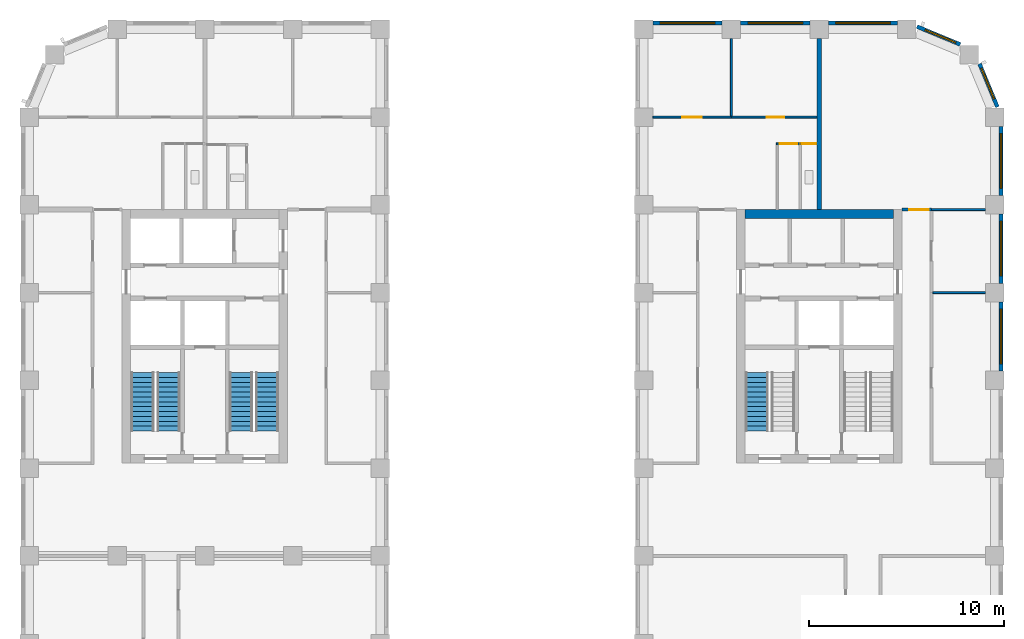
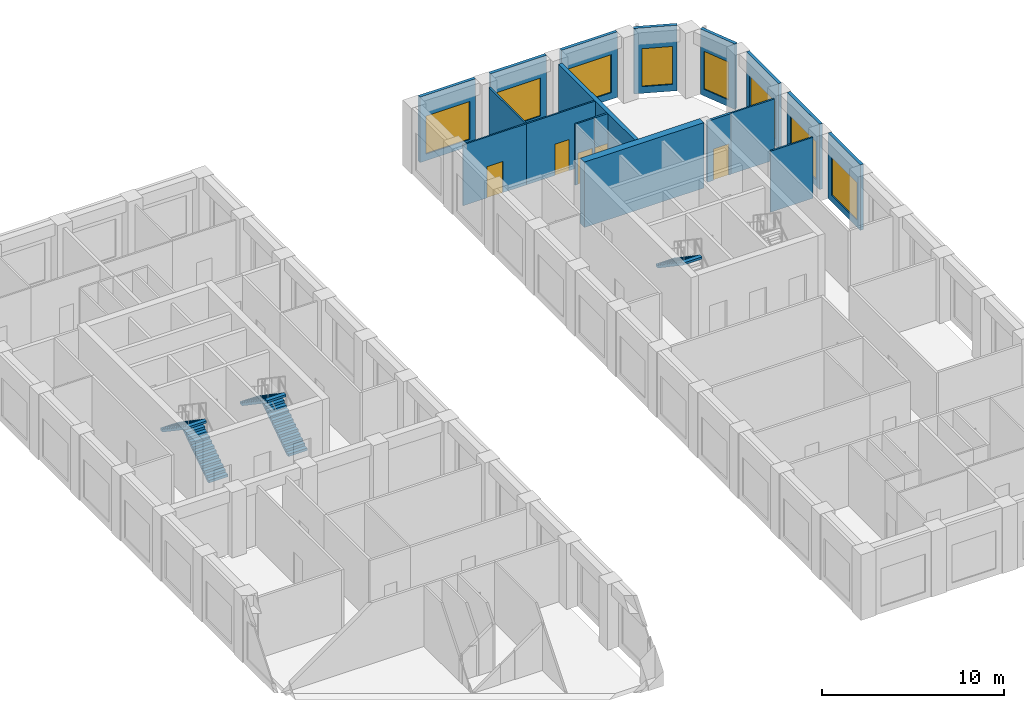
# One storey, part 9 of 13: 18 walls, 8 windows, 5 doors, 5 stair flights, 13 openings, 3 elements without a shape of their own.
"""IFC4 building model written with IfcOpenShell, lengths in metres."""

from ifc_helpers import new_model, si_unit, direction, frame, frame_2d, origin, place, context, subcontext, project, spatial, polyline, rectangle, outline, extrude, material, layer, layer_set, type_object, element, fill, aggregate, save


model = new_model("IFC4")

# Units and contexts
model_context = context("Model", 3, precision=1e-05, world=origin(), true_north=direction((0.0, 1.0)))
body_context = subcontext(model_context, "Body", "Model", "MODEL_VIEW")
ifc_project = project(units=[si_unit("LENGTHUNIT", "METRE"), si_unit("AREAUNIT", "SQUARE_METRE"), si_unit("VOLUMEUNIT", "CUBIC_METRE"), si_unit("PLANEANGLEUNIT", "RADIAN"), si_unit("MASSUNIT", "GRAM", prefix="KILO")], contexts=[model_context])

# Site, building, storey
site_placement = place(None, origin())
site = spatial("IfcSite", under=ifc_project, at=site_placement, CompositionType="ELEMENT")
building_placement = place(site_placement, origin())
building = spatial("IfcBuilding", under=site, at=building_placement, Name="Girih Gate Residences", CompositionType="ELEMENT")
storey_placement = place(building_placement, frame((0.0, 0.0, 159.39990234375)))
storey = spatial("IfcBuildingStorey", under=building, at=storey_placement, Name="L44", CompositionType="ELEMENT", Elevation=159.39990234375)

# Wall
ifc_material_1 = material(Name="Gypsum board on steel studs", Category="steel")
ifc_layer_1 = layer(ifc_material_1, 0.25)
ifc_layer_set_1 = layer_set([ifc_layer_1], Name="Acoustic separating wall 250 mm")
wall_type_1 = type_object("IfcWallType", Name="Acoustic separating wall 250 mm", PredefinedType="PARTITIONING", material=ifc_layer_set_1)
wall_1_placement = place(storey_placement, frame((40.5, 40.25, 0.0), z_axis=(0.0, 0.0, 1.0), x_axis=(0.0, 1.0, 0.0)))
element("IfcWall", 1, at=wall_1_placement, inside=storey, type_object=wall_type_1, Name="L44 partition", PredefinedType="PARTITIONING", context=body_context, shape_type="SweptSolid", body=[
    extrude(rectangle(XDim=8.77490234375, YDim=0.25, at=frame_2d((4.387451171875, 0.0))), origin(), (0.0, 0.0, 1.0), 4.10009765625),
])

# Wall, opening, door
ifc_layer_2 = layer(ifc_material_1, 0.14990234375)
ifc_layer_set_2 = layer_set([ifc_layer_2], Name="Compartment wall 150 mm")
wall_type_2 = type_object("IfcWallType", Name="Compartment wall 150 mm", PredefinedType="PARTITIONING", material=ifc_layer_set_2)
wall_2_placement = place(storey_placement, frame((44.75, 40.25, 0.0), z_axis=(0.0, 0.0, 1.0), x_axis=(1.0, 0.0, 0.0)))
wall_2 = element("IfcWall", 2, at=wall_2_placement, inside=storey, type_object=wall_type_2, Name="L44 partition", PredefinedType="PARTITIONING", context=body_context, shape_type="SweptSolid", body=[
    extrude(rectangle(XDim=1.5, YDim=0.14990234375, at=frame_2d((0.75, 0.0))), origin(), (0.0, 0.0, 1.0), 4.10009765625),
])
opening_1_placement = place(wall_2_placement, frame((0.3701171875, 0.0, 0.0)))
opening_1 = element("IfcOpeningElement", 3, at=opening_1_placement, cuts=wall_2, Name="Opening A44-038", PredefinedType="OPENING", context=body_context, shape_type="SweptSolid", body=[
    extrude(rectangle(XDim=1.0, YDim=2.10009765625, at=frame_2d((0.5, 1.050048828125))), frame((0.0, 0.0849609375, 0.0), z_axis=(0.0, -1.0, 0.0), x_axis=(1.0, 0.0, 0.0)), (0.0, 0.0, 1.0), 0.169921875),
])
ifc_material_2 = material(Name="Timber, fire-rated core", Category="wood")
door_type_1 = type_object("IfcDoorType", Name="Amenity room door 1000x2100 FD30S", OperationType="NOTDEFINED", PredefinedType="DOOR", material=ifc_material_2)
door_1_placement = place(opening_1_placement, origin())
door_1 = element("IfcDoor", 4, at=door_1_placement, inside=storey, type_object=door_type_1, Name="Door A44-038", OperationType="SINGLE_SWING_RIGHT", OverallHeight=2.10009765625, OverallWidth=1.0, PredefinedType="DOOR", context=body_context, shape_type="SweptSolid", body=[
    extrude(rectangle(XDim=1.0, YDim=2.10009765625, at=frame_2d((0.5, 1.050048828125))), frame((0.0, 0.02490234375, 0.0), z_axis=(0.0, -1.0, 0.0), x_axis=(1.0, 0.0, 0.0)), (0.0, 0.0, 1.0), 0.050048828125),
])
fill(opening_1, door_1)

# Wall
ifc_material_3 = material(Name="Concrete C60/75", Category="concrete")
ifc_layer_3 = layer(ifc_material_3, 0.449951171875)
ifc_layer_set_3 = layer_set([ifc_layer_3], Name="Core wall RC 450 Concrete C60/75")
wall_type_3 = type_object("IfcWallType", Name="Core wall RC 450 Concrete C60/75", PredefinedType="SOLIDWALL", material=ifc_layer_set_3)
wall_3_placement = place(storey_placement, frame((36.699951171875, 40.02490234375, 0.0), z_axis=(0.0, 0.0, 1.0), x_axis=(1.0, 0.0, 0.0)))
element("IfcWall", 5, at=wall_3_placement, inside=storey, type_object=wall_type_3, Name="Core wall E-N L44", PredefinedType="SOLIDWALL", context=body_context, shape_type="SweptSolid", body=[
    extrude(rectangle(XDim=7.60009765625, YDim=0.449951171875, at=frame_2d((3.800048828125, 0.0))), origin(), (0.0, 0.0, 1.0), 4.400146484375),
])

# Wall, opening, door
ifc_layer_4 = layer(ifc_material_1, 0.10009765625)
ifc_layer_set_4 = layer_set([ifc_layer_4], Name="Partition 100 mm")
wall_type_4 = type_object("IfcWallType", Name="Partition 100 mm", PredefinedType="PARTITIONING", material=ifc_layer_set_4)
wall_4_placement = place(storey_placement, frame((36.0, 45.0, 0.0), z_axis=(0.0, 0.0, 1.0), x_axis=(1.0, 0.0, 0.0)))
wall_4 = element("IfcWall", 6, at=wall_4_placement, inside=storey, type_object=wall_type_4, Name="L44 partition", PredefinedType="PARTITIONING", context=body_context, shape_type="SweptSolid", body=[
    extrude(rectangle(XDim=4.375, YDim=0.10009765625, at=frame_2d((2.1875, 0.0))), origin(), (0.0, 0.0, 1.0), 4.10009765625),
])
opening_2_placement = place(wall_4_placement, frame((1.800048828125, 0.0, 0.0)))
opening_2 = element("IfcOpeningElement", 7, at=opening_2_placement, cuts=wall_4, Name="Opening A44-028", PredefinedType="OPENING", context=body_context, shape_type="SweptSolid", body=[
    extrude(rectangle(XDim=0.89990234375, YDim=2.10009765625, at=frame_2d((0.449951171875, 1.050048828125))), frame((0.0, 0.06005859375, 0.0), z_axis=(0.0, -1.0, 0.0), x_axis=(1.0, 0.0, 0.0)), (0.0, 0.0, 1.0), 0.1201171875),
])
ifc_material_4 = material(Name="Timber", Category="wood")
door_type_2 = type_object("IfcDoorType", Name="Bedroom door 900x2100", OperationType="NOTDEFINED", PredefinedType="DOOR", material=ifc_material_4)
door_2_placement = place(opening_2_placement, origin())
door_2 = element("IfcDoor", 8, at=door_2_placement, inside=storey, type_object=door_type_2, Name="Door A44-028", OperationType="SINGLE_SWING_RIGHT", OverallHeight=2.10009765625, OverallWidth=0.89990234375, PredefinedType="DOOR", context=body_context, shape_type="SweptSolid", body=[
    extrude(rectangle(XDim=0.89990234375, YDim=2.10009765625, at=frame_2d((0.449951171875, 1.050048828125))), frame((0.0, 0.02490234375, 0.0), z_axis=(0.0, -1.0, 0.0), x_axis=(1.0, 0.0, 0.0)), (0.0, 0.0, 1.0), 0.050048828125),
])
fill(opening_2, door_2)

# Wall
wall_5_placement = place(storey_placement, frame((36.0, 45.050048828125, 0.0), z_axis=(0.0, 0.0, 1.0), x_axis=(0.0, 1.0, 0.0)))
element("IfcWall", 9, at=wall_5_placement, inside=storey, type_object=wall_type_4, Name="L44 partition", PredefinedType="PARTITIONING", context=body_context, shape_type="SweptSolid", body=[
    extrude(rectangle(XDim=3.974853515625, YDim=0.10009765625, at=frame_2d((1.9873046875, 0.0))), origin(), (0.0, 0.0, 1.0), 4.10009765625),
])

# Wall, opening, door
wall_6_placement = place(storey_placement, frame((39.522705078125, 43.6201171875, 0.0), z_axis=(0.0, 0.0, 1.0), x_axis=(-1.0, 0.0, 0.0)))
wall_6 = element("IfcWall", 10, at=wall_6_placement, inside=storey, type_object=wall_type_4, Name="L44 partition", PredefinedType="PARTITIONING", context=body_context, shape_type="SweptSolid", body=[
    extrude(rectangle(XDim=1.22265625, YDim=0.10009765625, at=frame_2d((0.611328125, 0.0))), origin(), (0.0, 0.0, 1.0), 4.10009765625),
])
opening_3_placement = place(wall_6_placement, frame((0.136474609375, 0.0, 0.0)))
opening_3 = element("IfcOpeningElement", 11, at=opening_3_placement, cuts=wall_6, Name="Opening A44-029", PredefinedType="OPENING", context=body_context, shape_type="SweptSolid", body=[
    extrude(rectangle(XDim=0.89990234375, YDim=2.10009765625, at=frame_2d((0.449951171875, 1.050048828125))), frame((0.0, 0.06005859375, 0.0), z_axis=(0.0, -1.0, 0.0), x_axis=(1.0, 0.0, 0.0)), (0.0, 0.0, 1.0), 0.1201171875),
])
door_type_3 = type_object("IfcDoorType", Name="Kitchen door 900x2100", OperationType="NOTDEFINED", PredefinedType="DOOR", material=ifc_material_4)
door_3_placement = place(opening_3_placement, origin())
door_3 = element("IfcDoor", 12, at=door_3_placement, inside=storey, type_object=door_type_3, Name="Door A44-029", OperationType="SINGLE_SWING_LEFT", OverallHeight=2.10009765625, OverallWidth=0.89990234375, PredefinedType="DOOR", context=body_context, shape_type="SweptSolid", body=[
    extrude(rectangle(XDim=0.89990234375, YDim=2.10009765625, at=frame_2d((0.449951171875, 1.050048828125))), frame((0.0, 0.02490234375, 0.0), z_axis=(0.0, -1.0, 0.0), x_axis=(1.0, 0.0, 0.0)), (0.0, 0.0, 1.0), 0.050048828125),
])
fill(opening_3, door_3)

wall_7_placement = place(storey_placement, frame((31.97509765625, 45.0, 0.0), z_axis=(0.0, 0.0, 1.0), x_axis=(1.0, 0.0, 0.0)))
wall_7 = element("IfcWall", 13, at=wall_7_placement, inside=storey, type_object=wall_type_4, Name="L44 partition", PredefinedType="PARTITIONING", context=body_context, shape_type="SweptSolid", body=[
    extrude(rectangle(XDim=4.02490234375, YDim=0.10009765625, at=frame_2d((2.012451171875, 0.0))), origin(), (0.0, 0.0, 1.0), 4.10009765625),
])
opening_4_placement = place(wall_7_placement, frame((1.512451171875, 0.0, 0.0)))
opening_4 = element("IfcOpeningElement", 14, at=opening_4_placement, cuts=wall_7, Name="Opening A44-030", PredefinedType="OPENING", context=body_context, shape_type="SweptSolid", body=[
    extrude(rectangle(XDim=1.0, YDim=2.10009765625, at=frame_2d((0.5, 1.050048828125))), frame((0.0, 0.06005859375, 0.0), z_axis=(0.0, -1.0, 0.0), x_axis=(1.0, 0.0, 0.0)), (0.0, 0.0, 1.0), 0.1201171875),
])
door_type_4 = type_object("IfcDoorType", Name="Living room door 1000x2100", OperationType="NOTDEFINED", PredefinedType="DOOR", material=ifc_material_4)
door_4_placement = place(opening_4_placement, origin())
door_4 = element("IfcDoor", 15, at=door_4_placement, inside=storey, type_object=door_type_4, Name="Door A44-030", OperationType="SINGLE_SWING_LEFT", OverallHeight=2.10009765625, OverallWidth=1.0, PredefinedType="DOOR", context=body_context, shape_type="SweptSolid", body=[
    extrude(rectangle(XDim=1.0, YDim=2.10009765625, at=frame_2d((0.5, 1.050048828125))), frame((0.0, 0.02490234375, 0.0), z_axis=(0.0, -1.0, 0.0), x_axis=(1.0, 0.0, 0.0)), (0.0, 0.0, 1.0), 0.050048828125),
])
fill(opening_4, door_4)

# Walls
wall_8_placement = place(storey_placement, frame((46.25, 40.25, 0.0), z_axis=(0.0, 0.0, 1.0), x_axis=(1.0, 0.0, 0.0)))
element("IfcWall", 16, at=wall_8_placement, inside=storey, type_object=wall_type_4, Name="L44 partition", PredefinedType="PARTITIONING", context=body_context, shape_type="SweptSolid", body=[
    extrude(rectangle(XDim=2.77490234375, YDim=0.10009765625, at=frame_2d((1.387451171875, 0.0))), origin(), (0.0, 0.0, 1.0), 4.10009765625),
])
wall_9_placement = place(storey_placement, frame((46.324951171875, 36.0, 0.0), z_axis=(0.0, 0.0, 1.0), x_axis=(1.0, 0.0, 0.0)))
element("IfcWall", 17, at=wall_9_placement, inside=storey, type_object=wall_type_4, Name="L44 partition", PredefinedType="PARTITIONING", context=body_context, shape_type="SweptSolid", body=[
    extrude(rectangle(XDim=2.699951171875, YDim=0.10009765625, at=frame_2d((1.35009765625, 0.0))), origin(), (0.0, 0.0, 1.0), 4.10009765625),
])

# Wall, opening, window
ifc_material_5 = material(Name="Precast concrete C50/60", Category="concrete")
ifc_layer_5 = layer(ifc_material_5, 0.06005859375, Name="Outer leaf")
ifc_material_6 = material(Name="Rigid PIR insulation")
ifc_layer_6 = layer(ifc_material_6, 0.090087890625, Name="Insulation")
ifc_material_7 = material(Name="Precast concrete C40/50", Category="concrete")
ifc_layer_7 = layer(ifc_material_7, 0.050048828125, Name="Inner leaf")
ifc_layer_set_5 = layer_set([ifc_layer_5, ifc_layer_6, ifc_layer_7], Name="Precast concrete C50/60 external wall 200")
wall_type_5 = type_object("IfcWallType", Name="Precast concrete C50/60 external wall 200", PredefinedType="SOLIDWALL", material=ifc_layer_set_5)
wall_10_placement = place(storey_placement, frame((49.824951171875, 35.52490234375, 0.0), z_axis=(0.0, 0.0, 1.0), x_axis=(0.0, -1.0, 0.0)))
wall_10 = element("IfcWall", 18, at=wall_10_placement, inside=storey, type_object=wall_type_5, Name="External wall E0495_0045.6", PredefinedType="SOLIDWALL", context=body_context, shape_type="SweptSolid", body=[
    extrude(rectangle(XDim=3.5498046875, YDim=0.199951171875, at=frame_2d((1.77490234375, 0.0))), origin(), (0.0, 0.0, 1.0), 4.400146484375),
])
opening_5_placement = place(wall_10_placement, frame((0.375, 0.0, 0.449951171875)))
opening_5 = element("IfcOpeningElement", 19, at=opening_5_placement, cuts=wall_10, Name="Opening W-6A", PredefinedType="OPENING", context=body_context, shape_type="SweptSolid", body=[
    extrude(rectangle(XDim=2.800048828125, YDim=2.550048828125, at=frame_2d((1.39990234375, 1.27490234375))), frame((0.0, 0.10986328125, 0.0), z_axis=(0.0, -1.0, 0.0), x_axis=(1.0, 0.0, 0.0)), (0.0, 0.0, 1.0), 0.219970703125),
])
ifc_material_8 = material(Name="Double glazing in aluminium frame", Category="aluminium")
window_type_1 = type_object("IfcWindowType", Name="Window W-6A 2800x2550", PartitioningType="SINGLE_PANEL", PredefinedType="WINDOW", material=ifc_material_8)
window_1_placement = place(opening_5_placement, origin())
window_1 = element("IfcWindow", 20, at=window_1_placement, inside=storey, type_object=window_type_1, Name="Window W-6A E0495_0045.6", OverallHeight=2.550048828125, OverallWidth=2.800048828125, PartitioningType="SINGLE_PANEL", PredefinedType="WINDOW", context=body_context, shape_type="SweptSolid", body=[
    extrude(rectangle(XDim=2.800048828125, YDim=2.550048828125, at=frame_2d((1.39990234375, 1.27490234375))), frame((0.0, 0.030029296875, 0.0), z_axis=(0.0, -1.0, 0.0), x_axis=(1.0, 0.0, 0.0)), (0.0, 0.0, 1.0), 0.06005859375),
])
fill(opening_5, window_1)

wall_11_placement = place(storey_placement, frame((49.824951171875, 40.02490234375, 0.0), z_axis=(0.0, 0.0, 1.0), x_axis=(0.0, -1.0, 0.0)))
wall_11 = element("IfcWall", 21, at=wall_11_placement, inside=storey, type_object=wall_type_5, Name="External wall E0495_0045.7", PredefinedType="SOLIDWALL", context=body_context, shape_type="SweptSolid", body=[
    extrude(rectangle(XDim=3.5498046875, YDim=0.199951171875, at=frame_2d((1.77490234375, 0.0))), origin(), (0.0, 0.0, 1.0), 4.400146484375),
])
opening_6_placement = place(wall_11_placement, frame((0.375, 0.0, 0.449951171875)))
opening_6 = element("IfcOpeningElement", 22, at=opening_6_placement, cuts=wall_11, Name="Opening W-6A", PredefinedType="OPENING", context=body_context, shape_type="SweptSolid", body=[
    extrude(rectangle(XDim=2.800048828125, YDim=2.550048828125, at=frame_2d((1.39990234375, 1.27490234375))), frame((0.0, 0.10986328125, 0.0), z_axis=(0.0, -1.0, 0.0), x_axis=(1.0, 0.0, 0.0)), (0.0, 0.0, 1.0), 0.219970703125),
])
window_2_placement = place(opening_6_placement, origin())
window_2 = element("IfcWindow", 23, at=window_2_placement, inside=storey, type_object=window_type_1, Name="Window W-6A E0495_0045.7", OverallHeight=2.550048828125, OverallWidth=2.800048828125, PartitioningType="SINGLE_PANEL", PredefinedType="WINDOW", context=body_context, shape_type="SweptSolid", body=[
    extrude(rectangle(XDim=2.800048828125, YDim=2.550048828125, at=frame_2d((1.39990234375, 1.27490234375))), frame((0.0, 0.030029296875, 0.0), z_axis=(0.0, -1.0, 0.0), x_axis=(1.0, 0.0, 0.0)), (0.0, 0.0, 1.0), 0.06005859375),
])
fill(opening_6, window_2)

wall_12_placement = place(storey_placement, frame((49.824951171875, 44.52490234375, 0.0), z_axis=(0.0, 0.0, 1.0), x_axis=(0.0, -1.0, 0.0)))
wall_12 = element("IfcWall", 24, at=wall_12_placement, inside=storey, type_object=wall_type_5, Name="External wall E0495_0045.8", PredefinedType="SOLIDWALL", context=body_context, shape_type="SweptSolid", body=[
    extrude(rectangle(XDim=3.5498046875, YDim=0.199951171875, at=frame_2d((1.77490234375, 0.0))), origin(), (0.0, 0.0, 1.0), 4.400146484375),
])
opening_7_placement = place(wall_12_placement, frame((0.375, 0.0, 0.449951171875)))
opening_7 = element("IfcOpeningElement", 25, at=opening_7_placement, cuts=wall_12, Name="Opening W-6A", PredefinedType="OPENING", context=body_context, shape_type="SweptSolid", body=[
    extrude(rectangle(XDim=2.800048828125, YDim=2.550048828125, at=frame_2d((1.39990234375, 1.27490234375))), frame((0.0, 0.10986328125, 0.0), z_axis=(0.0, -1.0, 0.0), x_axis=(1.0, 0.0, 0.0)), (0.0, 0.0, 1.0), 0.219970703125),
])
window_3_placement = place(opening_7_placement, origin())
window_3 = element("IfcWindow", 26, at=window_3_placement, inside=storey, type_object=window_type_1, Name="Window W-6A E0495_0045.8", OverallHeight=2.550048828125, OverallWidth=2.800048828125, PartitioningType="SINGLE_PANEL", PredefinedType="WINDOW", context=body_context, shape_type="SweptSolid", body=[
    extrude(rectangle(XDim=2.800048828125, YDim=2.550048828125, at=frame_2d((1.39990234375, 1.27490234375))), frame((0.0, 0.030029296875, 0.0), z_axis=(0.0, -1.0, 0.0), x_axis=(1.0, 0.0, 0.0)), (0.0, 0.0, 1.0), 0.06005859375),
])
fill(opening_7, window_3)

wall_13_placement = place(storey_placement, frame((48.7197265625, 47.73291015625, 0.0), z_axis=(0.0, 0.0, 1.0), x_axis=(0.382680855588, -0.923880599843, 0.0)))
wall_13 = element("IfcWall", 27, at=wall_13_placement, inside=storey, type_object=wall_type_5, Name="External wall NE0495_0450.0", PredefinedType="SOLIDWALL", context=body_context, shape_type="SweptSolid", body=[
    extrude(rectangle(XDim=2.402587890625, YDim=0.199951171875, at=frame_2d((1.201171875, 0.0))), origin(), (0.0, 0.0, 1.0), 4.400146484375),
])
opening_8_placement = place(wall_13_placement, frame((0.25146484375, 0.0, 0.449951171875)))
opening_8 = element("IfcOpeningElement", 28, at=opening_8_placement, cuts=wall_13, Name="Opening W-2F", PredefinedType="OPENING", context=body_context, shape_type="SweptSolid", body=[
    extrude(rectangle(XDim=1.699951171875, YDim=2.550048828125, at=frame_2d((0.85009765625, 1.27490234375))), frame((0.0, 0.10986328125, 0.0), z_axis=(0.0, -1.0, 0.0), x_axis=(1.0, 0.0, 0.0)), (0.0, 0.0, 1.0), 0.219970703125),
])
window_type_2 = type_object("IfcWindowType", Name="Window W-2F 1700x2550", PartitioningType="SINGLE_PANEL", PredefinedType="WINDOW", material=ifc_material_8)
window_4_placement = place(opening_8_placement, origin())
window_4 = element("IfcWindow", 29, at=window_4_placement, inside=storey, type_object=window_type_2, Name="Window W-2F NE0495_0450.0", OverallHeight=2.550048828125, OverallWidth=1.699951171875, PartitioningType="SINGLE_PANEL", PredefinedType="WINDOW", context=body_context, shape_type="SweptSolid", body=[
    extrude(rectangle(XDim=1.699951171875, YDim=2.550048828125, at=frame_2d((0.85009765625, 1.27490234375))), frame((0.0, 0.030029296875, 0.0), z_axis=(0.0, -1.0, 0.0), x_axis=(1.0, 0.0, 0.0)), (0.0, 0.0, 1.0), 0.06005859375),
])
fill(opening_8, window_4)

wall_14_placement = place(storey_placement, frame((45.51318359375, 49.63916015625, 0.0), z_axis=(0.0, 0.0, 1.0), x_axis=(0.923880599843, -0.382680855588, 0.0)))
wall_14 = element("IfcWall", 30, at=wall_14_placement, inside=storey, type_object=wall_type_5, Name="External wall NE0482_0482.0", PredefinedType="SOLIDWALL", context=body_context, shape_type="SweptSolid", body=[
    extrude(rectangle(XDim=2.402587890625, YDim=0.199951171875, at=frame_2d((1.201171875, 0.0))), origin(), (0.0, 0.0, 1.0), 4.400146484375),
])
opening_9_placement = place(wall_14_placement, frame((0.451171875, 0.0, 0.449951171875)))
opening_9 = element("IfcOpeningElement", 31, at=opening_9_placement, cuts=wall_14, Name="Opening W-2F", PredefinedType="OPENING", context=body_context, shape_type="SweptSolid", body=[
    extrude(rectangle(XDim=1.699951171875, YDim=2.550048828125, at=frame_2d((0.85009765625, 1.27490234375))), frame((0.0, 0.10986328125, 0.0), z_axis=(0.0, -1.0, 0.0), x_axis=(1.0, 0.0, 0.0)), (0.0, 0.0, 1.0), 0.219970703125),
])
window_5_placement = place(opening_9_placement, origin())
window_5 = element("IfcWindow", 32, at=window_5_placement, inside=storey, type_object=window_type_2, Name="Window W-2F NE0482_0482.0", OverallHeight=2.550048828125, OverallWidth=1.699951171875, PartitioningType="SINGLE_PANEL", PredefinedType="WINDOW", context=body_context, shape_type="SweptSolid", body=[
    extrude(rectangle(XDim=1.699951171875, YDim=2.550048828125, at=frame_2d((0.85009765625, 1.27490234375))), frame((0.0, 0.030029296875, 0.0), z_axis=(0.0, -1.0, 0.0), x_axis=(1.0, 0.0, 0.0)), (0.0, 0.0, 1.0), 0.06005859375),
])
fill(opening_9, window_5)

wall_15_placement = place(storey_placement, frame((40.97509765625, 49.824951171875, 0.0), z_axis=(0.0, 0.0, 1.0), x_axis=(1.0, 0.0, 0.0)))
wall_15 = element("IfcWall", 33, at=wall_15_placement, inside=storey, type_object=wall_type_5, Name="External wall N0450_0495.0", PredefinedType="SOLIDWALL", context=body_context, shape_type="SweptSolid", body=[
    extrude(rectangle(XDim=3.5498046875, YDim=0.199951171875, at=frame_2d((1.77490234375, 0.0))), origin(), (0.0, 0.0, 1.0), 4.400146484375),
])
opening_10_placement = place(wall_15_placement, frame((0.375, 0.0, 0.449951171875)))
opening_10 = element("IfcOpeningElement", 34, at=opening_10_placement, cuts=wall_15, Name="Opening W-6A", PredefinedType="OPENING", context=body_context, shape_type="SweptSolid", body=[
    extrude(rectangle(XDim=2.800048828125, YDim=2.550048828125, at=frame_2d((1.39990234375, 1.27490234375))), frame((0.0, 0.10986328125, 0.0), z_axis=(0.0, -1.0, 0.0), x_axis=(1.0, 0.0, 0.0)), (0.0, 0.0, 1.0), 0.219970703125),
])
window_6_placement = place(opening_10_placement, origin())
window_6 = element("IfcWindow", 35, at=window_6_placement, inside=storey, type_object=window_type_1, Name="Window W-6A N0450_0495.0", OverallHeight=2.550048828125, OverallWidth=2.800048828125, PartitioningType="SINGLE_PANEL", PredefinedType="WINDOW", context=body_context, shape_type="SweptSolid", body=[
    extrude(rectangle(XDim=2.800048828125, YDim=2.550048828125, at=frame_2d((1.39990234375, 1.27490234375))), frame((0.0, 0.030029296875, 0.0), z_axis=(0.0, -1.0, 0.0), x_axis=(1.0, 0.0, 0.0)), (0.0, 0.0, 1.0), 0.06005859375),
])
fill(opening_10, window_6)

wall_16_placement = place(storey_placement, frame((36.47509765625, 49.824951171875, 0.0), z_axis=(0.0, 0.0, 1.0), x_axis=(1.0, 0.0, 0.0)))
wall_16 = element("IfcWall", 36, at=wall_16_placement, inside=storey, type_object=wall_type_5, Name="External wall N0450_0495.1", PredefinedType="SOLIDWALL", context=body_context, shape_type="SweptSolid", body=[
    extrude(rectangle(XDim=3.5498046875, YDim=0.199951171875, at=frame_2d((1.77490234375, 0.0))), origin(), (0.0, 0.0, 1.0), 4.400146484375),
])
opening_11_placement = place(wall_16_placement, frame((0.375, 0.0, 0.449951171875)))
opening_11 = element("IfcOpeningElement", 37, at=opening_11_placement, cuts=wall_16, Name="Opening W-6A", PredefinedType="OPENING", context=body_context, shape_type="SweptSolid", body=[
    extrude(rectangle(XDim=2.800048828125, YDim=2.550048828125, at=frame_2d((1.39990234375, 1.27490234375))), frame((0.0, 0.10986328125, 0.0), z_axis=(0.0, -1.0, 0.0), x_axis=(1.0, 0.0, 0.0)), (0.0, 0.0, 1.0), 0.219970703125),
])
window_7_placement = place(opening_11_placement, origin())
window_7 = element("IfcWindow", 38, at=window_7_placement, inside=storey, type_object=window_type_1, Name="Window W-6A N0450_0495.1", OverallHeight=2.550048828125, OverallWidth=2.800048828125, PartitioningType="SINGLE_PANEL", PredefinedType="WINDOW", context=body_context, shape_type="SweptSolid", body=[
    extrude(rectangle(XDim=2.800048828125, YDim=2.550048828125, at=frame_2d((1.39990234375, 1.27490234375))), frame((0.0, 0.030029296875, 0.0), z_axis=(0.0, -1.0, 0.0), x_axis=(1.0, 0.0, 0.0)), (0.0, 0.0, 1.0), 0.06005859375),
])
fill(opening_11, window_7)

wall_17_placement = place(storey_placement, frame((31.97509765625, 49.824951171875, 0.0), z_axis=(0.0, 0.0, 1.0), x_axis=(1.0, 0.0, 0.0)))
wall_17 = element("IfcWall", 39, at=wall_17_placement, inside=storey, type_object=wall_type_5, Name="External wall N0450_0495.2", PredefinedType="SOLIDWALL", context=body_context, shape_type="SweptSolid", body=[
    extrude(rectangle(XDim=3.5498046875, YDim=0.199951171875, at=frame_2d((1.77490234375, 0.0))), origin(), (0.0, 0.0, 1.0), 4.400146484375),
])
opening_12_placement = place(wall_17_placement, frame((0.375, 0.0, 0.449951171875)))
opening_12 = element("IfcOpeningElement", 40, at=opening_12_placement, cuts=wall_17, Name="Opening W-6A", PredefinedType="OPENING", context=body_context, shape_type="SweptSolid", body=[
    extrude(rectangle(XDim=2.800048828125, YDim=2.550048828125, at=frame_2d((1.39990234375, 1.27490234375))), frame((0.0, 0.10986328125, 0.0), z_axis=(0.0, -1.0, 0.0), x_axis=(1.0, 0.0, 0.0)), (0.0, 0.0, 1.0), 0.219970703125),
])
window_8_placement = place(opening_12_placement, origin())
window_8 = element("IfcWindow", 41, at=window_8_placement, inside=storey, type_object=window_type_1, Name="Window W-6A N0450_0495.2", OverallHeight=2.550048828125, OverallWidth=2.800048828125, PartitioningType="SINGLE_PANEL", PredefinedType="WINDOW", context=body_context, shape_type="SweptSolid", body=[
    extrude(rectangle(XDim=2.800048828125, YDim=2.550048828125, at=frame_2d((1.39990234375, 1.27490234375))), frame((0.0, 0.030029296875, 0.0), z_axis=(0.0, -1.0, 0.0), x_axis=(1.0, 0.0, 0.0)), (0.0, 0.0, 1.0), 0.06005859375),
])
fill(opening_12, window_8)

# Wall, opening, door
ifc_layer_8 = layer(ifc_material_1, 0.125)
ifc_layer_set_6 = layer_set([ifc_layer_8], Name="Wet room wall 125 mm")
wall_type_6 = type_object("IfcWallType", Name="Wet room wall 125 mm", PredefinedType="PARTITIONING", material=ifc_layer_set_6)
wall_18_placement = place(storey_placement, frame((40.375, 43.6201171875, 0.0), z_axis=(0.0, 0.0, 1.0), x_axis=(-1.0, 0.0, 0.0)))
wall_18 = element("IfcWall", 42, at=wall_18_placement, inside=storey, type_object=wall_type_6, Name="L44 partition", PredefinedType="PARTITIONING", context=body_context, shape_type="SweptSolid", body=[
    extrude(rectangle(XDim=0.852294921875, YDim=0.125, at=frame_2d((0.42626953125, 0.0))), origin(), (0.0, 0.0, 1.0), 4.10009765625),
])
opening_13_placement = place(wall_18_placement, frame((0.02001953125, 0.0, 0.0)))
opening_13 = element("IfcOpeningElement", 43, at=opening_13_placement, cuts=wall_18, Name="Opening A44-027", PredefinedType="OPENING", context=body_context, shape_type="SweptSolid", body=[
    extrude(rectangle(XDim=0.800048828125, YDim=2.10009765625, at=frame_2d((0.39990234375, 1.050048828125))), frame((0.0, 0.072509765625, 0.0), z_axis=(0.0, -1.0, 0.0), x_axis=(1.0, 0.0, 0.0)), (0.0, 0.0, 1.0), 0.14501953125),
])
door_type_5 = type_object("IfcDoorType", Name="Bathroom door 800x2100", OperationType="NOTDEFINED", PredefinedType="DOOR", material=ifc_material_4)
door_5_placement = place(opening_13_placement, origin())
door_5 = element("IfcDoor", 44, at=door_5_placement, inside=storey, type_object=door_type_5, Name="Door A44-027", OperationType="SINGLE_SWING_LEFT", OverallHeight=2.10009765625, OverallWidth=0.800048828125, PredefinedType="DOOR", context=body_context, shape_type="SweptSolid", body=[
    extrude(rectangle(XDim=0.800048828125, YDim=2.10009765625, at=frame_2d((0.39990234375, 1.050048828125))), frame((0.0, 0.02490234375, 0.0), z_axis=(0.0, -1.0, 0.0), x_axis=(1.0, 0.0, 0.0)), (0.0, 0.0, 1.0), 0.050048828125),
])
fill(opening_13, door_5)

# Stair, stair flights
ifc_material_9 = material(Name="Concrete C40/50", Category="concrete")
stair_type = type_object("IfcStairType", Name="Exit stair", PredefinedType="HALF_TURN_STAIR", material=ifc_material_9)
stair_1_placement = place(storey_placement, origin())
stair_1 = element("IfcStair", 45, at=stair_1_placement, inside=storey, type_object=stair_type, Name="L44 Exit Stair ST-W1", PredefinedType="HALF_TURN_STAIR")
stair_flight_type = type_object("IfcStairFlightType", Name="Stair flight 1200", PredefinedType="STRAIGHT", material=ifc_material_9)
stair_flight_1_placement = place(storey_placement, frame((7.14990234375, 28.89990234375, 0.0), z_axis=(0.0, 0.0, 1.0), x_axis=(0.0, 1.0, 0.0)))
stair_flight_1 = element("IfcStairFlight", 46, at=stair_flight_1_placement, type_object=stair_flight_type, Name="ST-W1 flight 1", NumberOfRisers=13, NumberOfTreads=12, PredefinedType="STRAIGHT", RiserHeight=0.169230769, TreadLength=0.25, context=body_context, shape_type="SweptSolid", body=[
    extrude(outline(polyline([(0.0, 0.0), (0.0, 0.169189453125), (0.25, 0.169189453125), (0.25, 0.33837890625), (0.5, 0.33837890625), (0.5, 0.5078125), (0.75, 0.5078125), (0.75, 0.677001953125), (1.0, 0.677001953125), (1.0, 0.84619140625), (1.25, 0.84619140625), (1.25, 1.015380859375), (1.5, 1.015380859375), (1.5, 1.1845703125), (1.75, 1.1845703125), (1.75, 1.353759765625), (2.0, 1.353759765625), (2.0, 1.523193359375), (2.25, 1.523193359375), (2.25, 1.6923828125), (2.5, 1.6923828125), (2.5, 1.861572265625), (2.75, 1.861572265625), (2.75, 2.03076171875), (3.0, 2.03076171875), (3.0, 2.199951171875), (3.0, 1.8857421875), (0.21435546875, 0.0), (0.0, 0.0)])), frame((0.0, 0.60009765625, 0.0), z_axis=(0.0, -1.0, 0.0), x_axis=(1.0, 0.0, 0.0)), (0.0, 0.0, 1.0), 1.199951171875),
])
stair_flight_2_placement = place(storey_placement, frame((5.800048828125, 31.89990234375, 2.2001953125), z_axis=(0.0, 0.0, 1.0), x_axis=(0.0, -1.0, 0.0)))
stair_flight_2 = element("IfcStairFlight", 47, at=stair_flight_2_placement, type_object=stair_flight_type, Name="ST-W1 flight 2", NumberOfRisers=13, NumberOfTreads=12, PredefinedType="STRAIGHT", RiserHeight=0.169230769, TreadLength=0.25, context=body_context, shape_type="SweptSolid", body=[
    extrude(outline(polyline([(0.0, 0.0), (0.0, 0.169189453125), (0.25, 0.169189453125), (0.25, 0.33837890625), (0.5, 0.33837890625), (0.5, 0.5078125), (0.75, 0.5078125), (0.75, 0.677001953125), (1.0, 0.677001953125), (1.0, 0.84619140625), (1.25, 0.84619140625), (1.25, 1.015380859375), (1.5, 1.015380859375), (1.5, 1.1845703125), (1.75, 1.1845703125), (1.75, 1.353759765625), (2.0, 1.353759765625), (2.0, 1.523193359375), (2.25, 1.523193359375), (2.25, 1.6923828125), (2.5, 1.6923828125), (2.5, 1.861572265625), (2.75, 1.861572265625), (2.75, 2.03076171875), (3.0, 2.03076171875), (3.0, 2.199951171875), (3.0, 1.8857421875), (0.21435546875, 0.0), (0.0, 0.0)])), frame((0.0, 0.60009765625, 0.0), z_axis=(0.0, -1.0, 0.0), x_axis=(1.0, 0.0, 0.0)), (0.0, 0.0, 1.0), 1.199951171875),
])
aggregate(stair_1, [stair_flight_1, stair_flight_2])

stair_2_placement = place(storey_placement, origin())
stair_2 = element("IfcStair", 48, at=stair_2_placement, inside=storey, type_object=stair_type, Name="L44 Exit Stair ST-W2", PredefinedType="HALF_TURN_STAIR")
stair_flight_3_placement = place(storey_placement, frame((12.199951171875, 28.89990234375, 0.0), z_axis=(0.0, 0.0, 1.0), x_axis=(0.0, 1.0, 0.0)))
stair_flight_3 = element("IfcStairFlight", 49, at=stair_flight_3_placement, type_object=stair_flight_type, Name="ST-W2 flight 1", NumberOfRisers=13, NumberOfTreads=12, PredefinedType="STRAIGHT", RiserHeight=0.169230769, TreadLength=0.25, context=body_context, shape_type="SweptSolid", body=[
    extrude(outline(polyline([(0.0, 0.0), (0.0, 0.169189453125), (0.25, 0.169189453125), (0.25, 0.33837890625), (0.5, 0.33837890625), (0.5, 0.5078125), (0.75, 0.5078125), (0.75, 0.677001953125), (1.0, 0.677001953125), (1.0, 0.84619140625), (1.25, 0.84619140625), (1.25, 1.015380859375), (1.5, 1.015380859375), (1.5, 1.1845703125), (1.75, 1.1845703125), (1.75, 1.353759765625), (2.0, 1.353759765625), (2.0, 1.523193359375), (2.25, 1.523193359375), (2.25, 1.6923828125), (2.5, 1.6923828125), (2.5, 1.861572265625), (2.75, 1.861572265625), (2.75, 2.03076171875), (3.0, 2.03076171875), (3.0, 2.199951171875), (3.0, 1.8857421875), (0.21435546875, 0.0), (0.0, 0.0)])), frame((0.0, 0.60009765625, 0.0), z_axis=(0.0, -1.0, 0.0), x_axis=(1.0, 0.0, 0.0)), (0.0, 0.0, 1.0), 1.199951171875),
])
stair_flight_4_placement = place(storey_placement, frame((10.85009765625, 31.89990234375, 2.2001953125), z_axis=(0.0, 0.0, 1.0), x_axis=(0.0, -1.0, 0.0)))
stair_flight_4 = element("IfcStairFlight", 50, at=stair_flight_4_placement, type_object=stair_flight_type, Name="ST-W2 flight 2", NumberOfRisers=13, NumberOfTreads=12, PredefinedType="STRAIGHT", RiserHeight=0.169230769, TreadLength=0.25, context=body_context, shape_type="SweptSolid", body=[
    extrude(outline(polyline([(0.0, 0.0), (0.0, 0.169189453125), (0.25, 0.169189453125), (0.25, 0.33837890625), (0.5, 0.33837890625), (0.5, 0.5078125), (0.75, 0.5078125), (0.75, 0.677001953125), (1.0, 0.677001953125), (1.0, 0.84619140625), (1.25, 0.84619140625), (1.25, 1.015380859375), (1.5, 1.015380859375), (1.5, 1.1845703125), (1.75, 1.1845703125), (1.75, 1.353759765625), (2.0, 1.353759765625), (2.0, 1.523193359375), (2.25, 1.523193359375), (2.25, 1.6923828125), (2.5, 1.6923828125), (2.5, 1.861572265625), (2.75, 1.861572265625), (2.75, 2.03076171875), (3.0, 2.03076171875), (3.0, 2.199951171875), (3.0, 1.8857421875), (0.21435546875, 0.0), (0.0, 0.0)])), frame((0.0, 0.60009765625, 0.0), z_axis=(0.0, -1.0, 0.0), x_axis=(1.0, 0.0, 0.0)), (0.0, 0.0, 1.0), 1.199951171875),
])
aggregate(stair_2, [stair_flight_3, stair_flight_4])

# Stair, stair flight
stair_3_placement = place(storey_placement, origin())
stair_3 = element("IfcStair", 51, at=stair_3_placement, inside=storey, type_object=stair_type, Name="L44 Exit Stair ST-E2", PredefinedType="HALF_TURN_STAIR")
stair_flight_5_placement = place(storey_placement, frame((37.300048828125, 31.89990234375, 2.2001953125), z_axis=(0.0, 0.0, 1.0), x_axis=(0.0, -1.0, 0.0)))
stair_flight_5 = element("IfcStairFlight", 52, at=stair_flight_5_placement, type_object=stair_flight_type, Name="ST-E2 flight 2", NumberOfRisers=13, NumberOfTreads=12, PredefinedType="STRAIGHT", RiserHeight=0.169230769, TreadLength=0.25, context=body_context, shape_type="SweptSolid", body=[
    extrude(outline(polyline([(0.0, 0.0), (0.0, 0.169189453125), (0.25, 0.169189453125), (0.25, 0.33837890625), (0.5, 0.33837890625), (0.5, 0.5078125), (0.75, 0.5078125), (0.75, 0.677001953125), (1.0, 0.677001953125), (1.0, 0.84619140625), (1.25, 0.84619140625), (1.25, 1.015380859375), (1.5, 1.015380859375), (1.5, 1.1845703125), (1.75, 1.1845703125), (1.75, 1.353759765625), (2.0, 1.353759765625), (2.0, 1.523193359375), (2.25, 1.523193359375), (2.25, 1.6923828125), (2.5, 1.6923828125), (2.5, 1.861572265625), (2.75, 1.861572265625), (2.75, 2.03076171875), (3.0, 2.03076171875), (3.0, 2.199951171875), (3.0, 1.8857421875), (0.21435546875, 0.0), (0.0, 0.0)])), frame((0.0, 0.60009765625, 0.0), z_axis=(0.0, -1.0, 0.0), x_axis=(1.0, 0.0, 0.0)), (0.0, 0.0, 1.0), 1.199951171875),
])
aggregate(stair_3, [stair_flight_5])

save(model, "model.ifc")
